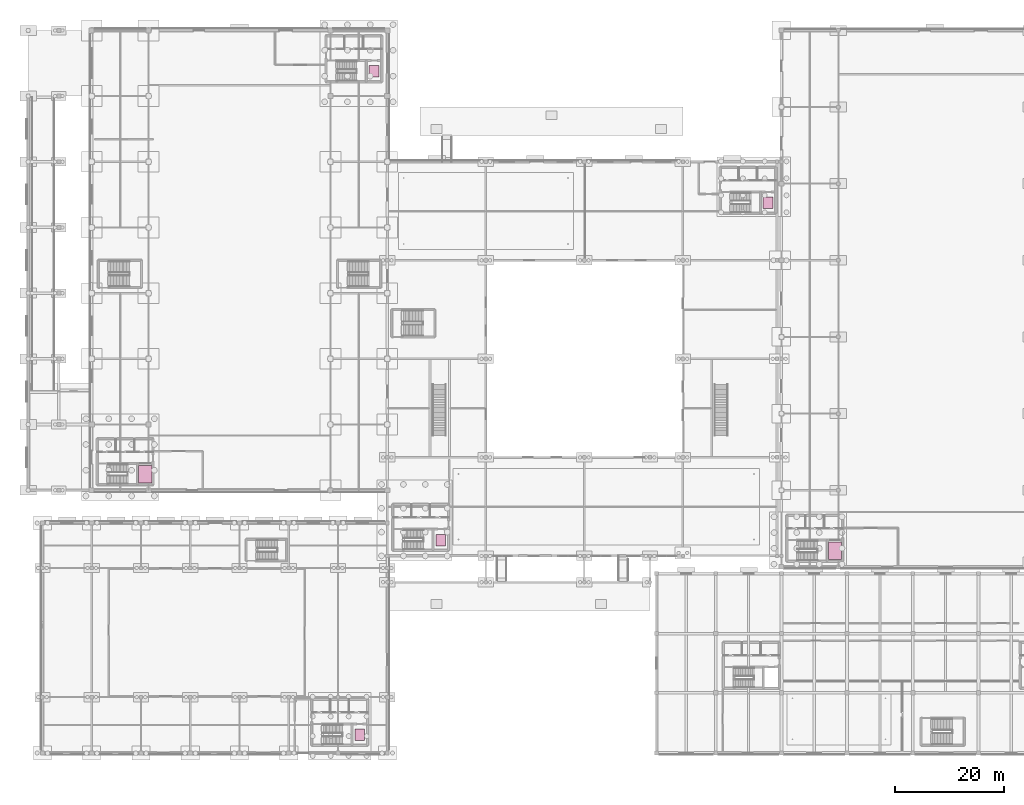
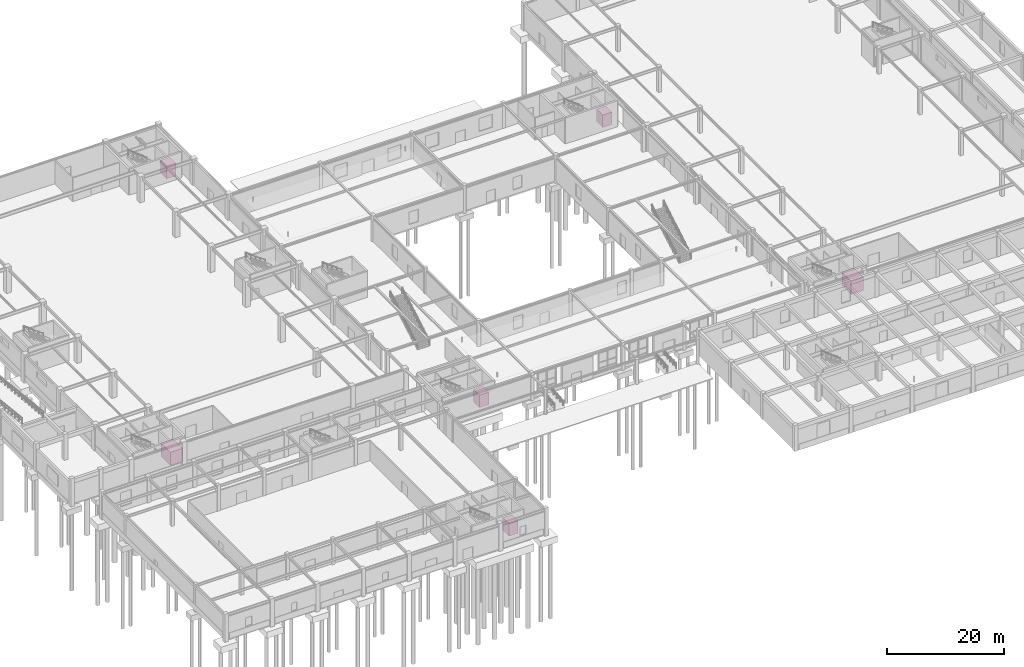
# One storey, part 53 of 53: 6 transport elements.
"""IFC4 building model written with IfcOpenShell, lengths in metres."""

from ifc_helpers import new_model, si_unit, derived_unit, direction, frame, origin, origin_2d, place, context, subcontext, project, spatial, rectangle, extrude, material, type_object, element, save


model = new_model("IFC4")

# Units and contexts
model_context = context("Model", 3, precision=1e-05, world=origin(), true_north=direction((0.0, 1.0)))
body_context = subcontext(model_context, "Body", "Model", "MODEL_VIEW")
ifc_project = project(units=[si_unit("LENGTHUNIT", "METRE"), si_unit("AREAUNIT", "SQUARE_METRE"), si_unit("VOLUMEUNIT", "CUBIC_METRE"), si_unit("PLANEANGLEUNIT", "RADIAN"), si_unit("MASSUNIT", "GRAM", prefix="KILO"), derived_unit("THERMALTRANSMITTANCEUNIT", [(si_unit("POWERUNIT", "WATT"), 1), (si_unit("LENGTHUNIT", "METRE"), -2), (si_unit("THERMODYNAMICTEMPERATUREUNIT", "KELVIN"), -1)])], contexts=[model_context])

# Site, building, storey
site_placement = place(None, origin())
site = spatial("IfcSite", under=ifc_project, at=site_placement, CompositionType="ELEMENT")
building_placement = place(site_placement, origin())
building = spatial("IfcBuilding", under=site, at=building_placement, Name="Almenara Railside Exhibition Hall", CompositionType="ELEMENT")
storey_placement = place(building_placement, origin())
storey = spatial("IfcBuildingStorey", under=building, at=storey_placement, Name="L00", CompositionType="ELEMENT", Elevation=0.0)

# Transport elements
ifc_material_1 = material(Name="Heavy-duty checker-plate steel goods lift car", Category="steel")
transport_element_type_1 = type_object("IfcTransportElementType", Name="Heavy Exhibition Goods Lift 2400x3200", PredefinedType="ELEVATOR", material=ifc_material_1)
for number, where, z_axis, x_axis, name in (
    (1, (21.77490234375, 50.89990234375, 0.0), (0.0, 0.0, 1.0), (1.0, 0.0, 0.0), "Lift LG-01"),
    (2, (147.77490234375, 36.89990234375, 0.0), (0.0, 0.0, 1.0), (1.0, 0.0, 0.0), "Lift LG-02"),
):
    element("IfcTransportElement", number, at=place(storey_placement, frame(where, z_axis=z_axis, x_axis=x_axis)), inside=storey, type_object=transport_element_type_1, Name=name, PredefinedType="ELEVATOR", context=body_context, shape_type="SweptSolid", body=[
        extrude(rectangle(XDim=2.39990234375, YDim=3.199951171875, at=origin_2d()), origin(), (0.0, 0.0, 1.0), 2.75),
    ])
ifc_material_2 = material(Name="Bronze and iroko passenger lift car")
transport_element_type_2 = type_object("IfcTransportElementType", Name="Public Passenger Lift 1800x2100", PredefinedType="ELEVATOR", material=ifc_material_2)
for number, where, z_axis, x_axis, name in (
    (3, (63.574951171875, 124.5, 0.0), (0.0, 0.0, 1.0), (1.0, 0.0, 0.0), "Lift LP-01"),
    (4, (75.77490234375, 38.89990234375, 0.0), (0.0, 0.0, 1.0), (1.0, 0.0, 0.0), "Lift LP-02"),
    (5, (60.97509765625, 3.300048828125, 0.0), (0.0, 0.0, 1.0), (1.0, 0.0, 0.0), "Lift LP-03"),
    (6, (135.574951171875, 100.5, 0.0), (0.0, 0.0, 1.0), (1.0, 0.0, 0.0), "Lift LP-04"),
):
    element("IfcTransportElement", number, at=place(storey_placement, frame(where, z_axis=z_axis, x_axis=x_axis)), inside=storey, type_object=transport_element_type_2, Name=name, PredefinedType="ELEVATOR", context=body_context, shape_type="SweptSolid", body=[
        extrude(rectangle(XDim=1.800048828125, YDim=2.10009765625, at=origin_2d()), origin(), (0.0, 0.0, 1.0), 2.60009765625),
    ])

save(model, "model.ifc")
